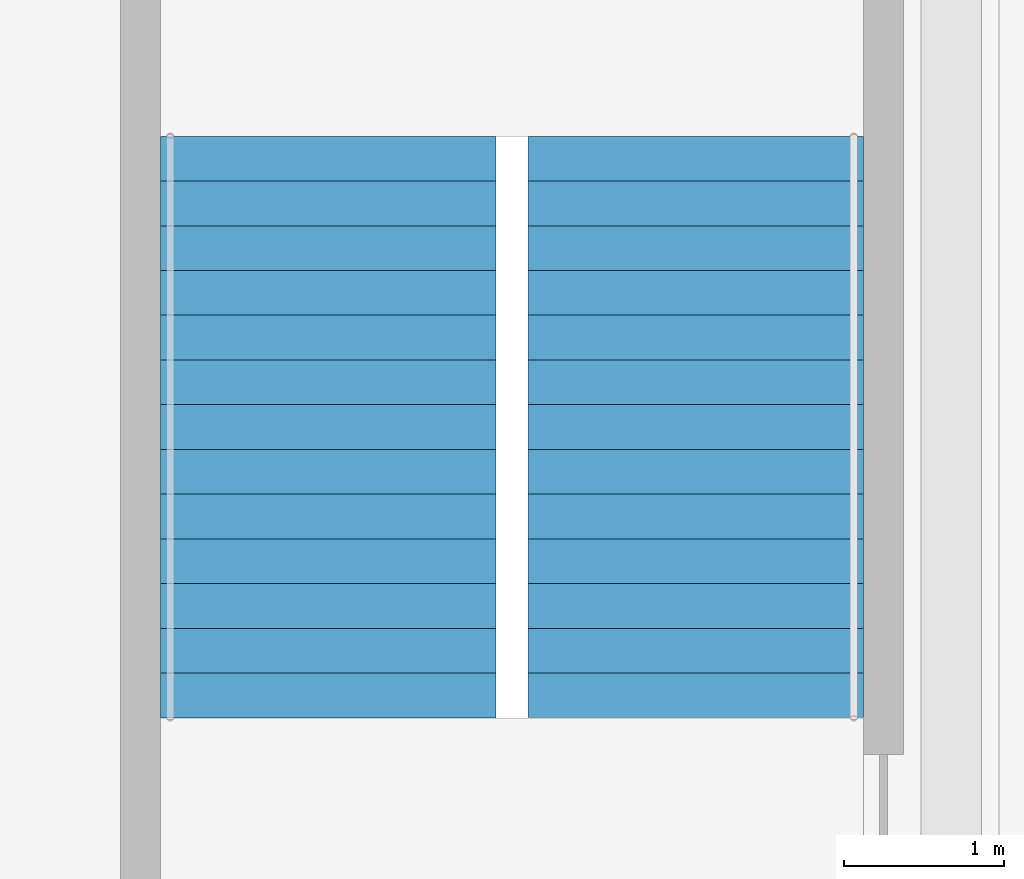
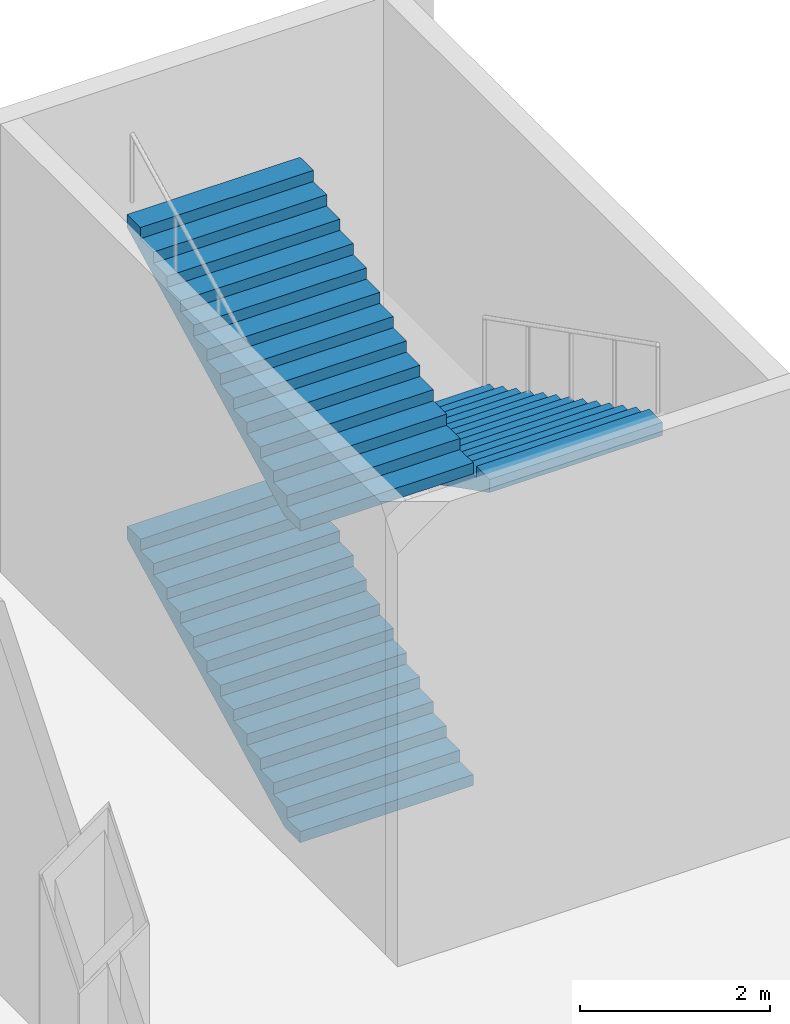
# One storey, part 25 of 34: 3 stair flights, 1 element without a shape of its own.
"""IFC4 building model written with IfcOpenShell, lengths in metres."""

from ifc_helpers import new_model, si_unit, direction, frame, origin, place, context, subcontext, project, spatial, polyline, outline, extrude, material, type_object, element, aggregate, save


model = new_model("IFC4")

# Units and contexts
model_context = context("Model", 3, precision=1e-05, world=origin(), true_north=direction((0.0, 1.0)))
body_context = subcontext(model_context, "Body", "Model", "MODEL_VIEW")
ifc_project = project(units=[si_unit("LENGTHUNIT", "METRE"), si_unit("AREAUNIT", "SQUARE_METRE"), si_unit("VOLUMEUNIT", "CUBIC_METRE"), si_unit("PLANEANGLEUNIT", "RADIAN"), si_unit("MASSUNIT", "GRAM", prefix="KILO")], contexts=[model_context])

# Site, building, storey
site_placement = place(None, origin())
site = spatial("IfcSite", under=ifc_project, at=site_placement, CompositionType="ELEMENT")
building_placement = place(site_placement, origin())
building = spatial("IfcBuilding", under=site, at=building_placement, Name="Loomwork Tower", CompositionType="ELEMENT")
storey_placement = place(building_placement, origin())
storey = spatial("IfcBuildingStorey", under=building, at=storey_placement, Name="L00", CompositionType="ELEMENT", Elevation=0.0)

# Stair, stair flights
ifc_material_1 = material(Name="Concrete 5000 psi (34 MPa) precast stair", Category="concrete")
stair_type = type_object("IfcStairType", Name="Stair ST-S4P 42 risers of 143 4400 wide", PredefinedType="HALF_TURN_STAIR", material=ifc_material_1)
stair_placement = place(storey_placement, origin())
stair = element("IfcStair", 1, at=stair_placement, inside=storey, type_object=stair_type, Name="Podium stair PS4 L00", PredefinedType="HALF_TURN_STAIR")
ifc_material_2 = material(Name="Concrete 5000 psi (34 MPa) precast stair", Category="concrete")
stair_flight_type = type_object("IfcStairFlightType", Name="Stair flight ST-S4P 14 risers of 143 2100 wide", PredefinedType="STRAIGHT", material=ifc_material_2)
stair_flight_1_placement = place(storey_placement, frame((59.10009765625, 38.679931640625, 0.0), z_axis=(0.0, 0.0, 1.0), x_axis=(0.0, 1.0, 0.0)))
stair_flight_1 = element("IfcStairFlight", 2, at=stair_flight_1_placement, type_object=stair_flight_type, Name="ST-S4P flight 1", NumberOfRisers=14, NumberOfTreads=13, PredefinedType="STRAIGHT", RiserHeight=0.142857143, TreadLength=0.28, context=body_context, shape_type="SweptSolid", body=[
    extrude(outline(polyline([(0.0, 0.0), (0.0, 0.142822265625), (0.280029296875, 0.142822265625), (0.280029296875, 0.28564453125), (0.56005859375, 0.28564453125), (0.56005859375, 0.428466796875), (0.840087890625, 0.428466796875), (0.840087890625, 0.571533203125), (1.1201171875, 0.571533203125), (1.1201171875, 0.71435546875), (1.39990234375, 0.71435546875), (1.39990234375, 0.857177734375), (1.679931640625, 0.857177734375), (1.679931640625, 1.0), (1.9599609375, 1.0), (1.9599609375, 1.142822265625), (2.239990234375, 1.142822265625), (2.239990234375, 1.28564453125), (2.52001953125, 1.28564453125), (2.52001953125, 1.428466796875), (2.800048828125, 1.428466796875), (2.800048828125, 1.571533203125), (3.080078125, 1.571533203125), (3.080078125, 1.71435546875), (3.360107421875, 1.71435546875), (3.360107421875, 1.857177734375), (3.639892578125, 1.857177734375), (3.639892578125, 2.0), (3.639892578125, 1.68896484375), (0.329833984375, 0.0), (0.0, 0.0)])), frame((0.0, 1.050048828125, 0.0), z_axis=(0.0, -1.0, 0.0), x_axis=(1.0, 0.0, 0.0)), (0.0, 0.0, 1.0), 2.10009765625),
])
stair_flight_2_placement = place(storey_placement, frame((61.39990234375, 42.320068359375, 2.0), z_axis=(0.0, 0.0, 1.0), x_axis=(0.0, -1.0, 0.0)))
stair_flight_2 = element("IfcStairFlight", 3, at=stair_flight_2_placement, type_object=stair_flight_type, Name="ST-S4P flight 2", NumberOfRisers=14, NumberOfTreads=13, PredefinedType="STRAIGHT", RiserHeight=0.142857143, TreadLength=0.28, context=body_context, shape_type="SweptSolid", body=[
    extrude(outline(polyline([(0.0, 0.0), (0.0, 0.142822265625), (0.280029296875, 0.142822265625), (0.280029296875, 0.28564453125), (0.56005859375, 0.28564453125), (0.56005859375, 0.428466796875), (0.840087890625, 0.428466796875), (0.840087890625, 0.571533203125), (1.1201171875, 0.571533203125), (1.1201171875, 0.71435546875), (1.39990234375, 0.71435546875), (1.39990234375, 0.857177734375), (1.679931640625, 0.857177734375), (1.679931640625, 1.0), (1.9599609375, 1.0), (1.9599609375, 1.142822265625), (2.239990234375, 1.142822265625), (2.239990234375, 1.28564453125), (2.52001953125, 1.28564453125), (2.52001953125, 1.428466796875), (2.800048828125, 1.428466796875), (2.800048828125, 1.571533203125), (3.080078125, 1.571533203125), (3.080078125, 1.71435546875), (3.360107421875, 1.71435546875), (3.360107421875, 1.857177734375), (3.639892578125, 1.857177734375), (3.639892578125, 2.0), (3.639892578125, 1.68896484375), (0.329833984375, 0.0), (0.0, 0.0)])), frame((0.0, 1.050048828125, 0.0), z_axis=(0.0, -1.0, 0.0), x_axis=(1.0, 0.0, 0.0)), (0.0, 0.0, 1.0), 2.10009765625),
])
stair_flight_3_placement = place(storey_placement, frame((59.10009765625, 38.679931640625, 4.0), z_axis=(0.0, 0.0, 1.0), x_axis=(0.0, 1.0, 0.0)))
stair_flight_3 = element("IfcStairFlight", 4, at=stair_flight_3_placement, type_object=stair_flight_type, Name="ST-S4P flight 3", NumberOfRisers=14, NumberOfTreads=13, PredefinedType="STRAIGHT", RiserHeight=0.142857143, TreadLength=0.28, context=body_context, shape_type="SweptSolid", body=[
    extrude(outline(polyline([(0.0, 0.0), (0.0, 0.142822265625), (0.280029296875, 0.142822265625), (0.280029296875, 0.28564453125), (0.56005859375, 0.28564453125), (0.56005859375, 0.428466796875), (0.840087890625, 0.428466796875), (0.840087890625, 0.571533203125), (1.1201171875, 0.571533203125), (1.1201171875, 0.71435546875), (1.39990234375, 0.71435546875), (1.39990234375, 0.857177734375), (1.679931640625, 0.857177734375), (1.679931640625, 1.0), (1.9599609375, 1.0), (1.9599609375, 1.142822265625), (2.239990234375, 1.142822265625), (2.239990234375, 1.28564453125), (2.52001953125, 1.28564453125), (2.52001953125, 1.428466796875), (2.800048828125, 1.428466796875), (2.800048828125, 1.571533203125), (3.080078125, 1.571533203125), (3.080078125, 1.71435546875), (3.360107421875, 1.71435546875), (3.360107421875, 1.857177734375), (3.639892578125, 1.857177734375), (3.639892578125, 2.0), (3.639892578125, 1.68896484375), (0.329833984375, 0.0), (0.0, 0.0)])), frame((0.0, 1.050048828125, 0.0), z_axis=(0.0, -1.0, 0.0), x_axis=(1.0, 0.0, 0.0)), (0.0, 0.0, 1.0), 2.10009765625),
])
aggregate(stair, [stair_flight_1, stair_flight_2, stair_flight_3])

save(model, "model.ifc")
